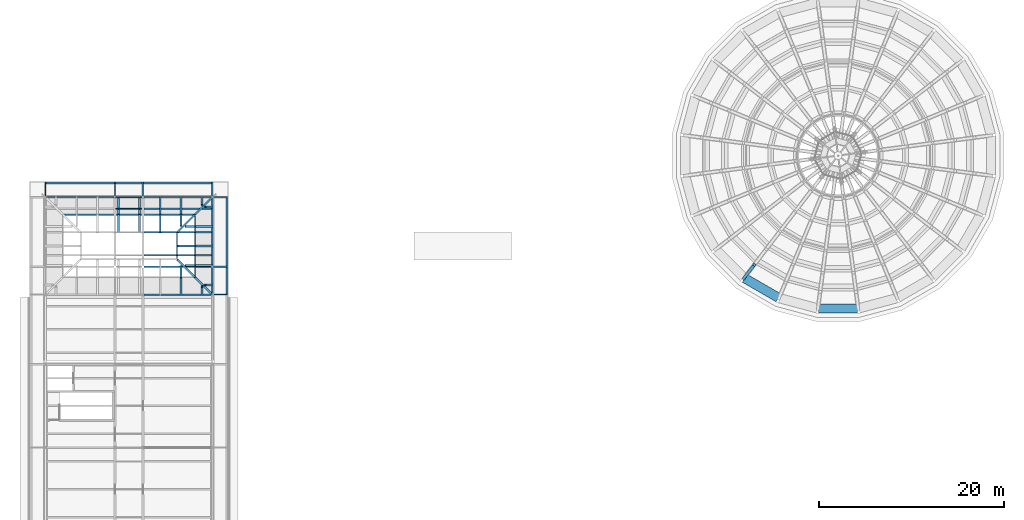
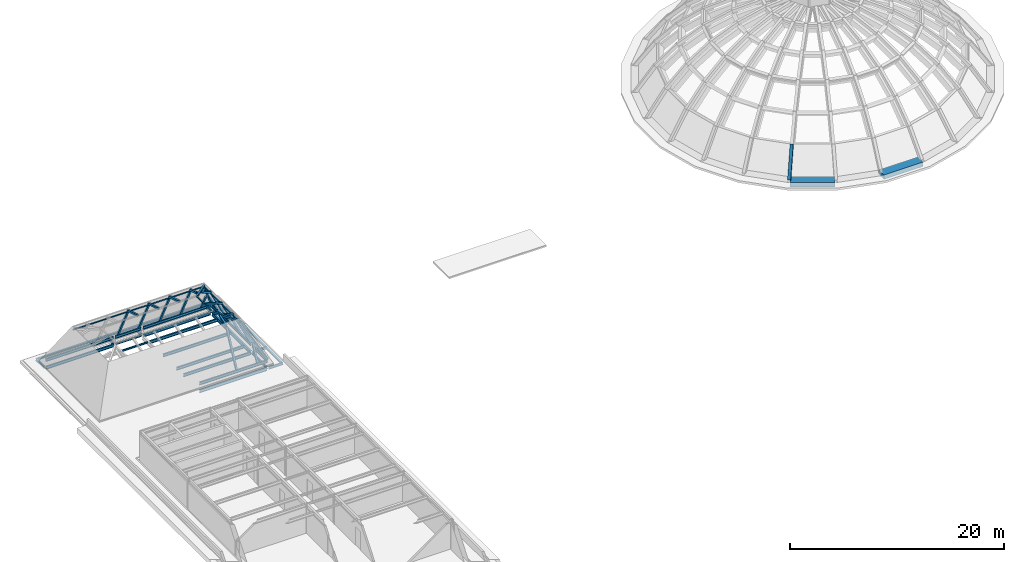
# One storey, part 9 of 29: 31 beams, 28 members.
"""IFC4 building model written with IfcOpenShell, lengths in metres."""

import ifcopenshell
import ifcopenshell.guid

model = None  # the IFC model being written
_history = None  # IfcOwnerHistory: only IFC2X3 demands one
_inside = {}  # id of a spatial element -> (the spatial element, [elements in it])
_under = {}  # id of a project, library or spatial element -> (it, [spatial elements below it])
_declared = {}  # id of a project -> (the project, [libraries it declares])
_typed = {}  # id of a type object -> (the type object, [elements of that type])
_made_of = {}  # id of a material, layer set ... -> (it, [elements and type objects made of it])


def new_model(schema):
    """Start an empty IFC model of exactly this schema.

    Asked for "IFC4X3", IfcOpenShell would pick the latest addendum, in which some entities
    have other attributes; the version numbers below select the first issue.
    IFC2X3 requires an IfcOwnerHistory on every rooted entity: one is made here for all.
    """
    global model, _history
    if schema == "IFC4X3":
        model = ifcopenshell.file(schema_version=(4, 3, 0, 0))
    else:
        model = ifcopenshell.file(schema=schema)
    _inside.clear()
    _under.clear()
    _declared.clear()
    _typed.clear()
    _made_of.clear()
    _history = None
    if model.schema == "IFC2X3":
        org = make("IfcOrganization", Name="unknown")
        user = make(
            "IfcPersonAndOrganization",
            ThePerson=make("IfcPerson", FamilyName="unknown"),
            TheOrganization=org,
        )
        app = make(
            "IfcApplication",
            ApplicationDeveloper=org,
            Version="unknown",
            ApplicationFullName="unknown",
            ApplicationIdentifier="unknown",
        )
        _history = make(
            "IfcOwnerHistory",
            OwningUser=user,
            OwningApplication=app,
            ChangeAction="ADDED",
            CreationDate=0,
        )
    return model


def make(cls, **values):
    """One entity of the class cls with the attributes given. An attribute that is None is left unset."""
    return model.create_entity(
        cls, **{name: value for name, value in values.items() if value is not None}
    )


def rooted(cls, **values):
    """An entity with a GlobalId (a new one), such as an element, a storey or a relation."""
    return make(cls, GlobalId=ifcopenshell.guid.new(), OwnerHistory=_history, **values)


def si_unit(unit_type, name, prefix=None):
    """IfcSIUnit, for example si_unit("LENGTHUNIT", "METRE", prefix="MILLI")."""
    return make("IfcSIUnit", UnitType=unit_type, Prefix=prefix, Name=name)


def assignment(units):
    """IfcUnitAssignment: the units of a project."""
    return None if units is None else make("IfcUnitAssignment", Units=units)


def point(xyz):
    """IfcCartesianPoint."""
    return None if xyz is None else make("IfcCartesianPoint", Coordinates=xyz)


def direction(xyz):
    """IfcDirection."""
    return None if xyz is None else make("IfcDirection", DirectionRatios=xyz)


def frame(location, z_axis=None, x_axis=None):
    """IfcAxis2Placement3D, a coordinate frame: its origin and axes. An axis left out is left unset."""
    return make(
        "IfcAxis2Placement3D",
        Location=point(location),
        Axis=direction(z_axis),
        RefDirection=direction(x_axis),
    )


def frame_2d(location, x_axis=None):
    """IfcAxis2Placement2D, a coordinate frame in the plane: its origin and x axis."""
    return make(
        "IfcAxis2Placement2D", Location=point(location), RefDirection=direction(x_axis)
    )


def origin():
    """The frame at (0, 0, 0) with its axes left unset."""
    return frame((0.0, 0.0, 0.0))


def origin_2d():
    """The frame at (0, 0) in the plane with its x axis left unset."""
    return frame_2d((0.0, 0.0))


def place(relative_to, where):
    """IfcLocalPlacement: puts the frame where relative to a parent placement (None: the world)."""
    return make(
        "IfcLocalPlacement", PlacementRelTo=relative_to, RelativePlacement=where
    )


def context(
    kind, dimensions, precision=None, world=None, true_north=None, identifier=None
):
    """IfcGeometricRepresentationContext, for example the 3D "Model" context."""
    return make(
        "IfcGeometricRepresentationContext",
        ContextIdentifier=identifier,
        ContextType=kind,
        CoordinateSpaceDimension=dimensions,
        Precision=precision,
        WorldCoordinateSystem=world,
        TrueNorth=true_north,
    )


def subcontext(parent, identifier, kind, view, scale=None):
    """IfcGeometricRepresentationSubContext, for example "Body" below "Model"."""
    return make(
        "IfcGeometricRepresentationSubContext",
        ContextIdentifier=identifier,
        ContextType=kind,
        ParentContext=parent,
        TargetScale=scale,
        TargetView=view,
    )


def project(units=None, contexts=None):
    """IfcProject with its units and contexts."""
    return rooted(
        "IfcProject",
        Name="project",
        RepresentationContexts=contexts,
        UnitsInContext=assignment(units),
    )


def spatial(cls, under=None, at=None, **own):
    """A site, building, storey or space (cls), placed at a placement, below another one or the project."""
    s = rooted(cls, ObjectPlacement=at, **own)
    if under is not None:
        _under.setdefault(under.id(), (under, []))[1].append(s)
    return s


def profile(cls, at=None, kind="AREA", **sizes):
    """A parametric profile (cls). Its sizes go by their IFC names, for example OverallWidth=200.0."""
    return make(cls, ProfileType=kind, Position=at, **sizes)


def rectangle(**sizes):
    """IfcRectangleProfileDef."""
    return profile("IfcRectangleProfileDef", **sizes)


def hollow_rectangle(**sizes):
    """IfcRectangleHollowProfileDef."""
    return profile("IfcRectangleHollowProfileDef", **sizes)


def i_section(**sizes):
    """IfcIShapeProfileDef."""
    return profile("IfcIShapeProfileDef", **sizes)


def extrude(swept, where, along, depth):
    """IfcExtrudedAreaSolid: the profile swept, set in the frame where, extruded along a direction by depth."""
    return make(
        "IfcExtrudedAreaSolid",
        SweptArea=swept,
        Position=where,
        ExtrudedDirection=direction(along),
        Depth=depth,
    )


def shape(context_of_items, identifier, shape_type, items):
    """IfcShapeRepresentation: the items that make up one representation, for example the "Body"."""
    return make(
        "IfcShapeRepresentation",
        ContextOfItems=context_of_items,
        RepresentationIdentifier=identifier,
        RepresentationType=shape_type,
        Items=items,
    )


def material(Name=None, Category=None):
    """IfcMaterial."""
    return make("IfcMaterial", Name=Name, Category=Category)


def material_profile(
    of_material, cross_section, Name=None, Category=None, Priority=None
):
    """IfcMaterialProfile: a cross section and its material."""
    return make(
        "IfcMaterialProfile",
        Name=Name,
        Material=of_material,
        Profile=cross_section,
        Priority=Priority,
        Category=Category,
    )


def profile_set(profiles, Name=None, composite=None):
    """IfcMaterialProfileSet."""
    return make(
        "IfcMaterialProfileSet",
        Name=Name,
        MaterialProfiles=profiles,
        CompositeProfile=composite,
    )


def made_of(thing, what):
    """Note that an element or type object is made of a material, layer set ...; save() writes the relation."""
    if what is not None:
        _made_of.setdefault(what.id(), (what, []))[1].append(thing)
    return thing


def type_object(cls, material=None, **own):
    """A type object (cls), such as IfcWallType, which elements share."""
    return made_of(rooted(cls, **own), material)


def element(
    cls,
    number,
    at=None,
    inside=None,
    cuts=None,
    type_object=None,
    material=None,
    context=None,
    identifier="Body",
    shape_type=None,
    held_by="IfcProductDefinitionShape",
    body=None,
    shapes=None,
    **own,
):
    """One element of the class cls, such as IfcWall. Its Tag is "e" and its number.

    at: its placement. inside: the storey or other place that contains it. cuts: it is an
    opening in that element (IfcRelVoidsElement). A single representation is given by context,
    identifier, shape_type and body (its items); several are given by shapes. held_by: the class
    of the entity that holds the representations. save() writes the other relations.
    """
    e = rooted(cls, Tag="e%d" % number, ObjectPlacement=at, **own)
    if body is not None:
        shapes = [shape(context, identifier, shape_type, body)]
    if shapes is not None:
        e.Representation = make(held_by, Representations=shapes)
    if inside is not None:
        _inside.setdefault(inside.id(), (inside, []))[1].append(e)
    if cuts is not None:
        rooted(
            "IfcRelVoidsElement", RelatingBuildingElement=cuts, RelatedOpeningElement=e
        )
    if type_object is not None:
        _typed.setdefault(type_object.id(), (type_object, []))[1].append(e)
    return made_of(e, material)


def aggregate(whole, parts):
    """IfcRelAggregates: a whole, such as a stair, and the parts it consists of."""
    return rooted("IfcRelAggregates", RelatingObject=whole, RelatedObjects=parts)


def save(model, path):
    """Write the relations noted so far, then the file.

    IfcRelAggregates (storeys below a building ...), IfcRelContainedInSpatialStructure (elements
    in a storey), IfcRelDefinesByType, IfcRelAssociatesMaterial and IfcRelDeclares: one each for
    every whole, place, type object, material and project.
    """
    for whole, parts in _under.values():
        aggregate(whole, parts)
    for where, things in _inside.values():
        rooted(
            "IfcRelContainedInSpatialStructure",
            RelatedElements=things,
            RelatingStructure=where,
        )
    for kind, things in _typed.values():
        rooted("IfcRelDefinesByType", RelatedObjects=things, RelatingType=kind)
    for what, things in _made_of.values():
        rooted("IfcRelAssociatesMaterial", RelatedObjects=things, RelatingMaterial=what)
    for by, libraries in _declared.values():
        rooted("IfcRelDeclares", RelatingContext=by, RelatedDefinitions=libraries)
    model.write(path)


model = new_model("IFC4")

# Units and contexts
model_context = context("Model", 3, precision=1e-05, world=origin(), true_north=direction((0.0, 1.0)))
body_context = subcontext(model_context, "Body", "Model", "MODEL_VIEW")
ifc_project = project(units=[si_unit("LENGTHUNIT", "METRE"), si_unit("AREAUNIT", "SQUARE_METRE"), si_unit("VOLUMEUNIT", "CUBIC_METRE"), si_unit("PLANEANGLEUNIT", "RADIAN"), si_unit("MASSUNIT", "GRAM", prefix="KILO")], contexts=[model_context])

# Site, building, storey
site_placement = place(None, origin())
site = spatial("IfcSite", under=ifc_project, at=site_placement, CompositionType="ELEMENT")
building_placement = place(site_placement, origin())
building = spatial("IfcBuilding", under=site, at=building_placement, Name="Golden Quay Civic Hall", CompositionType="ELEMENT")
storey_placement = place(building_placement, frame((0.0, 0.0, 27.0)))
storey = spatial("IfcBuildingStorey", under=building, at=storey_placement, Name="L06", CompositionType="ELEMENT", Elevation=27.0)

# Beams
ifc_material_1 = material(Name="Steel S355", Category="steel")
ifc_material_profile_1 = material_profile(ifc_material_1, i_section(OverallWidth=0.199951171875, OverallDepth=0.18994140625, WebThickness=0.006591796875, FlangeThickness=0.010009765625, FilletRadius=0.01806640625, at=origin_2d()), Name="HEA 200")
ifc_profile_set_1 = profile_set([ifc_material_profile_1], Name="Steel S355")
beam_type_1 = type_object("IfcBeamType", Name="Eave edge beam HEA 200", PredefinedType="BEAM", material=ifc_profile_set_1)
beam_1_placement = place(storey_placement, frame((0.0673828125, 82.550048828125, -0.344970703125), z_axis=(1.0, 0.0, 0.0), x_axis=(0.0, 1.0, 0.0)))
element("IfcBeam", 1, at=beam_1_placement, inside=storey, type_object=beam_type_1, Name="Eave edge beam HEA 200 L06 12", PredefinedType="BEAM", context=body_context, shape_type="SweptSolid", body=[
    extrude(i_section(OverallWidth=0.199951171875, OverallDepth=0.18994140625, WebThickness=0.006591796875, FlangeThickness=0.010009765625, FilletRadius=0.01806640625, at=origin_2d()), origin(), (0.0, 0.0, 1.0), 7.365234375),
])
beam_2_placement = place(storey_placement, frame((7.5673828125, 82.550048828125, -0.344970703125), z_axis=(1.0, 0.0, 0.0), x_axis=(0.0, 1.0, 0.0)))
element("IfcBeam", 2, at=beam_2_placement, inside=storey, type_object=beam_type_1, Name="Eave edge beam HEA 200 L06 13", PredefinedType="BEAM", context=body_context, shape_type="SweptSolid", body=[
    extrude(i_section(OverallWidth=0.199951171875, OverallDepth=0.18994140625, WebThickness=0.006591796875, FlangeThickness=0.010009765625, FilletRadius=0.01806640625, at=origin_2d()), origin(), (0.0, 0.0, 1.0), 2.865234375),
])
beam_3_placement = place(storey_placement, frame((10.5673828125, 82.550048828125, -0.344970703125), z_axis=(1.0, 0.0, 0.0), x_axis=(0.0, 1.0, 0.0)))
element("IfcBeam", 3, at=beam_3_placement, inside=storey, type_object=beam_type_1, Name="Eave edge beam HEA 200 L06 14", PredefinedType="BEAM", context=body_context, shape_type="SweptSolid", body=[
    extrude(i_section(OverallWidth=0.199951171875, OverallDepth=0.18994140625, WebThickness=0.006591796875, FlangeThickness=0.010009765625, FilletRadius=0.01806640625, at=origin_2d()), origin(), (0.0, 0.0, 1.0), 7.365234375),
])
beam_4_placement = place(storey_placement, frame((19.550048828125, 70.5673828125, -0.344970703125), z_axis=(0.0, 1.0, 0.0), x_axis=(-1.0, 0.0, 0.0)))
element("IfcBeam", 4, at=beam_4_placement, inside=storey, type_object=beam_type_1, Name="Eave edge beam HEA 200 L06 24", PredefinedType="BEAM", context=body_context, shape_type="SweptSolid", body=[
    extrude(i_section(OverallWidth=0.199951171875, OverallDepth=0.18994140625, WebThickness=0.006591796875, FlangeThickness=0.010009765625, FilletRadius=0.01806640625, at=origin_2d()), origin(), (0.0, 0.0, 1.0), 2.865234375),
])
beam_5_placement = place(storey_placement, frame((19.550048828125, 73.5673828125, -0.344970703125), z_axis=(0.0, 1.0, 0.0), x_axis=(-1.0, 0.0, 0.0)))
element("IfcBeam", 5, at=beam_5_placement, inside=storey, type_object=beam_type_1, Name="Eave edge beam HEA 200 L06 25", PredefinedType="BEAM", context=body_context, shape_type="SweptSolid", body=[
    extrude(i_section(OverallWidth=0.199951171875, OverallDepth=0.18994140625, WebThickness=0.006591796875, FlangeThickness=0.010009765625, FilletRadius=0.01806640625, at=origin_2d()), origin(), (0.0, 0.0, 1.0), 7.365234375),
])
ifc_material_2 = material(Name="Steel S355", Category="steel")
ifc_material_profile_2 = material_profile(ifc_material_2, i_section(OverallWidth=0.135009765625, OverallDepth=0.27001953125, WebThickness=0.006591796875, FlangeThickness=0.01025390625, FilletRadius=0.014892578125, at=origin_2d()), Name="IPE 270")
ifc_profile_set_2 = profile_set([ifc_material_profile_2], Name="Steel S355")
beam_type_2 = type_object("IfcBeamType", Name="Eave stub IPE 270", PredefinedType="BEAM", material=ifc_profile_set_2)
for number, where, z_axis, x_axis, name in (
    (6, (0.0, 81.094970703125, -0.385009765625), (0.0, 1.0, 0.0), (-1.0, 0.0, 0.0), "Eave stub IPE 270 L06 13"),
    (7, (7.5, 81.094970703125, -0.385009765625), (0.0, 1.0, 0.0), (-1.0, 0.0, 0.0), "Eave stub IPE 270 L06 14"),
    (8, (10.5, 81.094970703125, -0.385009765625), (0.0, 1.0, 0.0), (-1.0, 0.0, 0.0), "Eave stub IPE 270 L06 15"),
    (9, (18.0, 81.094970703125, -0.385009765625), (0.0, 1.0, 0.0), (-1.0, 0.0, 0.0), "Eave stub IPE 270 L06 16"),
):
    element("IfcBeam", number, at=place(storey_placement, frame(where, z_axis=z_axis, x_axis=x_axis)), inside=storey, type_object=beam_type_2, Name=name, PredefinedType="BEAM", context=body_context, shape_type="SweptSolid", body=[
        extrude(i_section(OverallWidth=0.135009765625, OverallDepth=0.27001953125, WebThickness=0.006591796875, FlangeThickness=0.01025390625, FilletRadius=0.014892578125, at=origin_2d()), origin(), (0.0, 0.0, 1.0), 1.554931640625),
    ])
for number, where, z_axis, x_axis, name in (
    (10, (18.10009765625, 70.5, -0.385009765625), (1.0, 0.0, 0.0), (0.0, 1.0, 0.0), "Eave stub IPE 270 L06 26"),
    (11, (18.10009765625, 73.5, -0.385009765625), (1.0, 0.0, 0.0), (0.0, 1.0, 0.0), "Eave stub IPE 270 L06 27"),
    (12, (18.10009765625, 81.0, -0.385009765625), (1.0, 0.0, 0.0), (0.0, 1.0, 0.0), "Eave stub IPE 270 L06 28"),
):
    element("IfcBeam", number, at=place(storey_placement, frame(where, z_axis=z_axis, x_axis=x_axis)), inside=storey, type_object=beam_type_2, Name=name, PredefinedType="BEAM", context=body_context, shape_type="SweptSolid", body=[
        extrude(i_section(OverallWidth=0.135009765625, OverallDepth=0.27001953125, WebThickness=0.006591796875, FlangeThickness=0.01025390625, FilletRadius=0.014892578125, at=origin_2d()), origin(), (0.0, 0.0, 1.0), 1.5498046875),
    ])

# Member
ifc_material_3 = material(Name="Concrete C40/50", Category="concrete")
ifc_material_profile_3 = material_profile(ifc_material_3, rectangle(XDim=0.300048828125, YDim=0.35009765625, at=origin_2d()), Name="RC 300x350")
ifc_profile_set_3 = profile_set([ifc_material_profile_3], Name="Concrete C40/50")
member_type_1 = type_object("IfcMemberType", Name="Reinforced concrete dome outer rib 300x350", PredefinedType="STRUT", material=ifc_profile_set_3)
member_1_placement = place(storey_placement, frame((75.321533203125, 72.2353515625, -0.01904296875), z_axis=(0.337798707205, 0.440142253946, 0.83196564214), x_axis=(-0.79329616646, 0.608835932152, 0.0)))
element("IfcMember", 13, at=member_1_placement, inside=storey, type_object=member_type_1, Name="Dome outer rib 16.1", PredefinedType="STRUT", context=body_context, shape_type="SweptSolid", body=[
    extrude(rectangle(XDim=0.300048828125, YDim=0.35009765625, at=origin_2d()), origin(), (0.0, 0.0, 1.0), 3.38037109375),
])

# Beams
ifc_material_4 = material(Name="Concrete C40/50", Category="concrete")
ifc_material_profile_4 = material_profile(ifc_material_4, rectangle(XDim=1.0, YDim=0.5, at=origin_2d()), Name="RC 1000x500")
ifc_profile_set_4 = profile_set([ifc_material_profile_4], Name="Concrete C40/50")
beam_type_3 = type_object("IfcBeamType", Name="Reinforced concrete springing ring beam 1000x500", PredefinedType="BEAM", material=ifc_profile_set_4)
for number, where, z_axis, x_axis, name in (
    (14, (75.42578125, 72.263916015625, -0.25), (0.866023457084, -0.500003371769, 0.0), (0.500003371769, 0.866023457084, 0.0), "Dome springing ring segment 16"),
    (15, (83.3935546875, 69.0, -0.25), (1.0, 0.0, 0.0), (0.0, 1.0, 0.0), "Dome springing ring segment 18"),
):
    element("IfcBeam", number, at=place(storey_placement, frame(where, z_axis=z_axis, x_axis=x_axis)), inside=storey, type_object=beam_type_3, Name=name, PredefinedType="BEAM", context=body_context, shape_type="SweptSolid", body=[
        extrude(rectangle(XDim=1.0, YDim=0.5, at=origin_2d()), origin(), (0.0, 0.0, 1.0), 4.212890625),
    ])
ifc_material_5 = material(Name="Steel S355", Category="steel")
ifc_material_profile_5 = material_profile(ifc_material_5, i_section(OverallWidth=0.10009765625, OverallDepth=0.199951171875, WebThickness=0.005615234375, FlangeThickness=0.008544921875, FilletRadius=0.011962890625, at=origin_2d()), Name="IPE 200")
ifc_profile_set_5 = profile_set([ifc_material_profile_5], Name="Steel S355")
beam_type_4 = type_object("IfcBeamType", Name="Steel beam IPE 200", PredefinedType="BEAM", material=ifc_profile_set_5)
beam_6_placement = place(storey_placement, frame((7.60009765625, 81.0, -0.35009765625), z_axis=(1.0, 0.0, 0.0), x_axis=(0.0, 1.0, 0.0)))
element("IfcBeam", 16, at=beam_6_placement, inside=storey, type_object=beam_type_4, Name="Beam S81-7.5", PredefinedType="BEAM", context=body_context, shape_type="SweptSolid", body=[
    extrude(i_section(OverallWidth=0.10009765625, OverallDepth=0.199951171875, WebThickness=0.005615234375, FlangeThickness=0.008544921875, FilletRadius=0.011962890625, at=origin_2d()), origin(), (0.0, 0.0, 1.0), 2.7998046875),
])
ifc_material_6 = material(Name="Steel S355", Category="steel")
ifc_material_profile_6 = material_profile(ifc_material_6, i_section(OverallWidth=0.135009765625, OverallDepth=0.27001953125, WebThickness=0.006591796875, FlangeThickness=0.01025390625, FilletRadius=0.014892578125, at=origin_2d()), Name="IPE 270")
ifc_profile_set_6 = profile_set([ifc_material_profile_6], Name="Steel S355")
beam_type_5 = type_object("IfcBeamType", Name="Steel beam IPE 270", PredefinedType="BEAM", material=ifc_profile_set_6)
beam_7_placement = place(storey_placement, frame((18.0, 70.594970703125, -0.385009765625), z_axis=(0.0, 1.0, 0.0), x_axis=(-1.0, 0.0, 0.0)))
element("IfcBeam", 17, at=beam_7_placement, inside=storey, type_object=beam_type_5, Name="Beam L18-70.5", PredefinedType="BEAM", context=body_context, shape_type="SweptSolid", body=[
    extrude(i_section(OverallWidth=0.135009765625, OverallDepth=0.27001953125, WebThickness=0.006591796875, FlangeThickness=0.01025390625, FilletRadius=0.014892578125, at=origin_2d()), origin(), (0.0, 0.0, 1.0), 2.81005859375),
])
ifc_material_7 = material(Name="Steel S355", Category="steel")
ifc_material_profile_7 = material_profile(ifc_material_7, i_section(OverallWidth=0.159912109375, OverallDepth=0.330078125, WebThickness=0.007568359375, FlangeThickness=0.011474609375, FilletRadius=0.01806640625, at=origin_2d()), Name="IPE 330")
ifc_profile_set_7 = profile_set([ifc_material_profile_7], Name="Steel S355")
beam_type_6 = type_object("IfcBeamType", Name="Steel beam IPE 330", PredefinedType="BEAM", material=ifc_profile_set_7)
for number, where, z_axis, x_axis, name in (
    (18, (10.6201171875, 70.5, -0.4150390625), (1.0, 0.0, 0.0), (0.0, 1.0, 0.0), "Beam S70.5-10.5"),
    (19, (10.6201171875, 73.5, -0.4150390625), (1.0, 0.0, 0.0), (0.0, 1.0, 0.0), "Beam S73.5-10.5"),
):
    element("IfcBeam", number, at=place(storey_placement, frame(where, z_axis=z_axis, x_axis=x_axis)), inside=storey, type_object=beam_type_6, Name=name, PredefinedType="BEAM", context=body_context, shape_type="SweptSolid", body=[
        extrude(i_section(OverallWidth=0.159912109375, OverallDepth=0.330078125, WebThickness=0.007568359375, FlangeThickness=0.011474609375, FilletRadius=0.01806640625, at=origin_2d()), origin(), (0.0, 0.0, 1.0), 7.27978515625),
    ])
for number, where, z_axis, x_axis, name in (
    (20, (0.10009765625, 81.0, -0.4150390625), (1.0, 0.0, 0.0), (0.0, 1.0, 0.0), "Beam S81-0"),
    (21, (10.60009765625, 81.0, -0.4150390625), (1.0, 0.0, 0.0), (0.0, 1.0, 0.0), "Beam S81-10.5"),
):
    element("IfcBeam", number, at=place(storey_placement, frame(where, z_axis=z_axis, x_axis=x_axis)), inside=storey, type_object=beam_type_6, Name=name, PredefinedType="BEAM", context=body_context, shape_type="SweptSolid", body=[
        extrude(i_section(OverallWidth=0.159912109375, OverallDepth=0.330078125, WebThickness=0.007568359375, FlangeThickness=0.011474609375, FilletRadius=0.01806640625, at=origin_2d()), origin(), (0.0, 0.0, 1.0), 7.2998046875),
    ])
ifc_material_8 = material(Name="Steel S355", Category="steel")
ifc_material_profile_8 = material_profile(ifc_material_8, i_section(OverallWidth=0.179931640625, OverallDepth=0.39990234375, WebThickness=0.008544921875, FlangeThickness=0.013427734375, FilletRadius=0.02099609375, at=origin_2d()), Name="IPE 400")
ifc_profile_set_8 = profile_set([ifc_material_profile_8], Name="Steel S355")
beam_type_7 = type_object("IfcBeamType", Name="Steel beam IPE 400", PredefinedType="BEAM", material=ifc_profile_set_8)
beam_8_placement = place(storey_placement, frame((18.0, 73.594970703125, -0.449951171875), z_axis=(0.0, 1.0, 0.0), x_axis=(-1.0, 0.0, 0.0)))
element("IfcBeam", 22, at=beam_8_placement, inside=storey, type_object=beam_type_7, Name="Beam L18-73.5", PredefinedType="BEAM", context=body_context, shape_type="SweptSolid", body=[
    extrude(i_section(OverallWidth=0.179931640625, OverallDepth=0.39990234375, WebThickness=0.008544921875, FlangeThickness=0.013427734375, FilletRadius=0.02099609375, at=origin_2d()), origin(), (0.0, 0.0, 1.0), 7.31005859375),
])

# Members
ifc_material_9 = material(Name="Steel S355", Category="steel")
ifc_material_profile_9 = material_profile(ifc_material_9, hollow_rectangle(XDim=0.199951171875, YDim=0.199951171875, WallThickness=0.010009765625, at=origin_2d()), Name="SHS 200x200x10")
ifc_profile_set_9 = profile_set([ifc_material_profile_9], Name="Steel S355")
member_type_2 = type_object("IfcMemberType", Name="Steel jack rafter SHS 200x200x10", PredefinedType="RAFTER", material=ifc_profile_set_9)
member_2_placement = place(storey_placement, frame((14.625, 70.5, 0.6748046875), z_axis=(0.0, 0.447236789271, 0.894415593738), x_axis=(-1.0, 0.0, 0.0)))
element("IfcMember", 23, at=member_2_placement, inside=storey, type_object=member_type_2, Name="Jack rafter WO-N south 7", PredefinedType="RAFTER", context=body_context, shape_type="SweptSolid", body=[
    extrude(hollow_rectangle(XDim=0.199951171875, YDim=0.199951171875, WallThickness=0.010009765625, at=origin_2d()), origin(), (0.0, 0.0, 1.0), 4.21044921875),
])
member_3_placement = place(storey_placement, frame((14.625, 72.383056640625, 4.559814453125), z_axis=(0.0, 0.957779634475, 0.287503342214), x_axis=(-1.0, 0.0, 0.0)))
element("IfcMember", 24, at=member_3_placement, inside=storey, type_object=member_type_2, Name="Jack rafter WO-N south 7 upper", PredefinedType="RAFTER", context=body_context, shape_type="SweptSolid", body=[
    extrude(hollow_rectangle(XDim=0.199951171875, YDim=0.199951171875, WallThickness=0.010009765625, at=origin_2d()), origin(), (0.0, 0.0, 1.0), 1.296630859375),
])
member_4_placement = place(storey_placement, frame((16.875, 70.5, 0.6748046875), z_axis=(0.0, 0.4472135955, 0.894427191), x_axis=(-1.0, 0.0, 0.0)))
element("IfcMember", 25, at=member_4_placement, inside=storey, type_object=member_type_2, Name="Jack rafter WO-N south 8", PredefinedType="RAFTER", context=body_context, shape_type="SweptSolid", body=[
    extrude(hollow_rectangle(XDim=0.199951171875, YDim=0.199951171875, WallThickness=0.010009765625, at=origin_2d()), origin(), (0.0, 0.0, 1.0), 1.95654296875),
])
member_5_placement = place(storey_placement, frame((7.875, 81.0, 0.6748046875), z_axis=(0.0, -0.447236789271, 0.894415593738), x_axis=(1.0, 0.0, 0.0)))
element("IfcMember", 26, at=member_5_placement, inside=storey, type_object=member_type_2, Name="Jack rafter WO-N north 4", PredefinedType="RAFTER", context=body_context, shape_type="SweptSolid", body=[
    extrude(hollow_rectangle(XDim=0.199951171875, YDim=0.199951171875, WallThickness=0.010009765625, at=origin_2d()), origin(), (0.0, 0.0, 1.0), 4.21044921875),
])
member_6_placement = place(storey_placement, frame((7.875, 79.116943359375, 4.559814453125), z_axis=(0.0, -0.957795254133, 0.287451302241), x_axis=(1.0, 0.0, 0.0)))
element("IfcMember", 27, at=member_6_placement, inside=storey, type_object=member_type_2, Name="Jack rafter WO-N north 4 upper", PredefinedType="RAFTER", context=body_context, shape_type="SweptSolid", body=[
    extrude(hollow_rectangle(XDim=0.199951171875, YDim=0.199951171875, WallThickness=0.010009765625, at=origin_2d()), origin(), (0.0, 0.0, 1.0), 1.94921875),
])
member_7_placement = place(storey_placement, frame((10.125, 81.0, 0.6748046875), z_axis=(0.0, -0.447236789271, 0.894415593738), x_axis=(1.0, 0.0, 0.0)))
element("IfcMember", 28, at=member_7_placement, inside=storey, type_object=member_type_2, Name="Jack rafter WO-N north 5", PredefinedType="RAFTER", context=body_context, shape_type="SweptSolid", body=[
    extrude(hollow_rectangle(XDim=0.199951171875, YDim=0.199951171875, WallThickness=0.010009765625, at=origin_2d()), origin(), (0.0, 0.0, 1.0), 4.21044921875),
])
member_8_placement = place(storey_placement, frame((10.125, 79.116943359375, 4.559814453125), z_axis=(0.0, -0.957795254133, 0.287451302241), x_axis=(1.0, 0.0, 0.0)))
element("IfcMember", 29, at=member_8_placement, inside=storey, type_object=member_type_2, Name="Jack rafter WO-N north 5 upper", PredefinedType="RAFTER", context=body_context, shape_type="SweptSolid", body=[
    extrude(hollow_rectangle(XDim=0.199951171875, YDim=0.199951171875, WallThickness=0.010009765625, at=origin_2d()), origin(), (0.0, 0.0, 1.0), 1.94921875),
])
member_9_placement = place(storey_placement, frame((12.375, 81.0, 0.6748046875), z_axis=(0.0, -0.447236789271, 0.894415593738), x_axis=(1.0, 0.0, 0.0)))
element("IfcMember", 30, at=member_9_placement, inside=storey, type_object=member_type_2, Name="Jack rafter WO-N north 6", PredefinedType="RAFTER", context=body_context, shape_type="SweptSolid", body=[
    extrude(hollow_rectangle(XDim=0.199951171875, YDim=0.199951171875, WallThickness=0.010009765625, at=origin_2d()), origin(), (0.0, 0.0, 1.0), 4.21044921875),
])
member_10_placement = place(storey_placement, frame((12.375, 79.116943359375, 4.559814453125), z_axis=(0.0, -0.957795254133, 0.287451302241), x_axis=(1.0, 0.0, 0.0)))
element("IfcMember", 31, at=member_10_placement, inside=storey, type_object=member_type_2, Name="Jack rafter WO-N north 6 upper", PredefinedType="RAFTER", context=body_context, shape_type="SweptSolid", body=[
    extrude(hollow_rectangle(XDim=0.199951171875, YDim=0.199951171875, WallThickness=0.010009765625, at=origin_2d()), origin(), (0.0, 0.0, 1.0), 1.94921875),
])
member_11_placement = place(storey_placement, frame((14.625, 81.0, 0.6748046875), z_axis=(0.0, -0.447236789271, 0.894415593738), x_axis=(1.0, 0.0, 0.0)))
element("IfcMember", 32, at=member_11_placement, inside=storey, type_object=member_type_2, Name="Jack rafter WO-N north 7", PredefinedType="RAFTER", context=body_context, shape_type="SweptSolid", body=[
    extrude(hollow_rectangle(XDim=0.199951171875, YDim=0.199951171875, WallThickness=0.010009765625, at=origin_2d()), origin(), (0.0, 0.0, 1.0), 4.21044921875),
])
member_12_placement = place(storey_placement, frame((14.625, 79.116943359375, 4.559814453125), z_axis=(0.0, -0.957779634475, 0.287503342214), x_axis=(1.0, 0.0, 0.0)))
element("IfcMember", 33, at=member_12_placement, inside=storey, type_object=member_type_2, Name="Jack rafter WO-N north 7 upper", PredefinedType="RAFTER", context=body_context, shape_type="SweptSolid", body=[
    extrude(hollow_rectangle(XDim=0.199951171875, YDim=0.199951171875, WallThickness=0.010009765625, at=origin_2d()), origin(), (0.0, 0.0, 1.0), 1.296630859375),
])
member_13_placement = place(storey_placement, frame((16.875, 81.0, 0.6748046875), z_axis=(0.0, -0.4472135955, 0.894427191), x_axis=(1.0, 0.0, 0.0)))
element("IfcMember", 34, at=member_13_placement, inside=storey, type_object=member_type_2, Name="Jack rafter WO-N north 8", PredefinedType="RAFTER", context=body_context, shape_type="SweptSolid", body=[
    extrude(hollow_rectangle(XDim=0.199951171875, YDim=0.199951171875, WallThickness=0.010009765625, at=origin_2d()), origin(), (0.0, 0.0, 1.0), 1.95654296875),
])
member_14_placement = place(storey_placement, frame((18.0, 71.550048828125, 0.6748046875), z_axis=(-0.447268189502, 0.0, 0.894399891916), x_axis=(0.0, -1.0, 0.0)))
element("IfcMember", 35, at=member_14_placement, inside=storey, type_object=member_type_2, Name="Jack rafter WO-N east 1", PredefinedType="RAFTER", context=body_context, shape_type="SweptSolid", body=[
    extrude(hollow_rectangle(XDim=0.199951171875, YDim=0.199951171875, WallThickness=0.010009765625, at=origin_2d()), origin(), (0.0, 0.0, 1.0), 1.788818359375),
])
member_15_placement = place(storey_placement, frame((18.0, 73.64990234375, 0.6748046875), z_axis=(-0.447236789271, 0.0, 0.894415593738), x_axis=(0.0, -1.0, 0.0)))
element("IfcMember", 36, at=member_15_placement, inside=storey, type_object=member_type_2, Name="Jack rafter WO-N east 2", PredefinedType="RAFTER", context=body_context, shape_type="SweptSolid", body=[
    extrude(hollow_rectangle(XDim=0.199951171875, YDim=0.199951171875, WallThickness=0.010009765625, at=origin_2d()), origin(), (0.0, 0.0, 1.0), 4.21044921875),
])
member_16_placement = place(storey_placement, frame((16.116943359375, 73.64990234375, 4.559814453125), z_axis=(-0.95779463317, 0.0, 0.287453371299), x_axis=(0.0, -1.0, 0.0)))
element("IfcMember", 37, at=member_16_placement, inside=storey, type_object=member_type_2, Name="Jack rafter WO-N east 2 upper", PredefinedType="RAFTER", context=body_context, shape_type="SweptSolid", body=[
    extrude(hollow_rectangle(XDim=0.199951171875, YDim=0.199951171875, WallThickness=0.010009765625, at=origin_2d()), origin(), (0.0, 0.0, 1.0), 1.061767578125),
])
member_17_placement = place(storey_placement, frame((18.0, 75.75, 0.6748046875), z_axis=(-0.447236789271, 0.0, 0.894415593738), x_axis=(0.0, -1.0, 0.0)))
element("IfcMember", 38, at=member_17_placement, inside=storey, type_object=member_type_2, Name="Jack rafter WO-N east 3", PredefinedType="RAFTER", context=body_context, shape_type="SweptSolid", body=[
    extrude(hollow_rectangle(XDim=0.199951171875, YDim=0.199951171875, WallThickness=0.010009765625, at=origin_2d()), origin(), (0.0, 0.0, 1.0), 4.21044921875),
])
member_18_placement = place(storey_placement, frame((16.116943359375, 75.75, 4.559814453125), z_axis=(-0.957795254133, 0.0, 0.287451302241), x_axis=(0.0, -1.0, 0.0)))
element("IfcMember", 39, at=member_18_placement, inside=storey, type_object=member_type_2, Name="Jack rafter WO-N east 3 upper", PredefinedType="RAFTER", context=body_context, shape_type="SweptSolid", body=[
    extrude(hollow_rectangle(XDim=0.199951171875, YDim=0.199951171875, WallThickness=0.010009765625, at=origin_2d()), origin(), (0.0, 0.0, 1.0), 1.94921875),
])
member_19_placement = place(storey_placement, frame((18.0, 77.85009765625, 0.6748046875), z_axis=(-0.447236789271, 0.0, 0.894415593738), x_axis=(0.0, -1.0, 0.0)))
element("IfcMember", 40, at=member_19_placement, inside=storey, type_object=member_type_2, Name="Jack rafter WO-N east 4", PredefinedType="RAFTER", context=body_context, shape_type="SweptSolid", body=[
    extrude(hollow_rectangle(XDim=0.199951171875, YDim=0.199951171875, WallThickness=0.010009765625, at=origin_2d()), origin(), (0.0, 0.0, 1.0), 4.21044921875),
])
member_20_placement = place(storey_placement, frame((16.116943359375, 77.85009765625, 4.559814453125), z_axis=(-0.95779463317, 0.0, 0.287453371299), x_axis=(0.0, -1.0, 0.0)))
element("IfcMember", 41, at=member_20_placement, inside=storey, type_object=member_type_2, Name="Jack rafter WO-N east 4 upper", PredefinedType="RAFTER", context=body_context, shape_type="SweptSolid", body=[
    extrude(hollow_rectangle(XDim=0.199951171875, YDim=0.199951171875, WallThickness=0.010009765625, at=origin_2d()), origin(), (0.0, 0.0, 1.0), 1.061767578125),
])
member_21_placement = place(storey_placement, frame((18.0, 79.949951171875, 0.6748046875), z_axis=(-0.447268189502, 0.0, 0.894399891916), x_axis=(0.0, -1.0, 0.0)))
element("IfcMember", 42, at=member_21_placement, inside=storey, type_object=member_type_2, Name="Jack rafter WO-N east 5", PredefinedType="RAFTER", context=body_context, shape_type="SweptSolid", body=[
    extrude(hollow_rectangle(XDim=0.199951171875, YDim=0.199951171875, WallThickness=0.010009765625, at=origin_2d()), origin(), (0.0, 0.0, 1.0), 1.788818359375),
])

# Beams
ifc_material_10 = material(Name="Steel S355", Category="steel")
ifc_material_profile_10 = material_profile(ifc_material_10, i_section(OverallWidth=0.10009765625, OverallDepth=0.199951171875, WebThickness=0.005615234375, FlangeThickness=0.008544921875, FilletRadius=0.011962890625, at=origin_2d()), Name="IPE 200")
ifc_profile_set_10 = profile_set([ifc_material_profile_10], Name="Steel S355")
beam_type_8 = type_object("IfcBeamType", Name="Steel joist IPE 200", PredefinedType="JOIST", material=ifc_profile_set_10)
beam_9_placement = place(storey_placement, frame((7.60009765625, 79.75, -0.35009765625), z_axis=(1.0, 0.0, 0.0), x_axis=(0.0, 1.0, 0.0)))
element("IfcBeam", 43, at=beam_9_placement, inside=storey, type_object=beam_type_8, Name="Joist J79.75-7.5", PredefinedType="JOIST", context=body_context, shape_type="SweptSolid", body=[
    extrude(i_section(OverallWidth=0.10009765625, OverallDepth=0.199951171875, WebThickness=0.005615234375, FlangeThickness=0.008544921875, FilletRadius=0.011962890625, at=origin_2d()), origin(), (0.0, 0.0, 1.0), 2.7998046875),
])
ifc_material_11 = material(Name="Steel S355", Category="steel")
ifc_material_profile_11 = material_profile(ifc_material_11, i_section(OverallWidth=0.159912109375, OverallDepth=0.330078125, WebThickness=0.007568359375, FlangeThickness=0.011474609375, FilletRadius=0.01806640625, at=origin_2d()), Name="IPE 330")
ifc_profile_set_11 = profile_set([ifc_material_profile_11], Name="Steel S355")
beam_type_9 = type_object("IfcBeamType", Name="Steel joist IPE 330", PredefinedType="JOIST", material=ifc_profile_set_11)
for number, where, z_axis, x_axis, name in (
    (44, (10.60009765625, 74.75, -0.4150390625), (1.0, 0.0, 0.0), (0.0, 1.0, 0.0), "Joist J74.75-10.5"),
    (45, (10.60009765625, 77.25, -0.4150390625), (1.0, 0.0, 0.0), (0.0, 1.0, 0.0), "Joist J77.25-10.5"),
    (46, (10.60009765625, 79.75, -0.4150390625), (1.0, 0.0, 0.0), (0.0, 1.0, 0.0), "Joist J79.75-10.5"),
):
    element("IfcBeam", number, at=place(storey_placement, frame(where, z_axis=z_axis, x_axis=x_axis)), inside=storey, type_object=beam_type_9, Name=name, PredefinedType="JOIST", context=body_context, shape_type="SweptSolid", body=[
        extrude(i_section(OverallWidth=0.159912109375, OverallDepth=0.330078125, WebThickness=0.007568359375, FlangeThickness=0.011474609375, FilletRadius=0.01806640625, at=origin_2d()), origin(), (0.0, 0.0, 1.0), 7.309814453125),
    ])

# Members
ifc_material_12 = material(Name="Steel S355", Category="steel")
ifc_material_profile_12 = material_profile(ifc_material_12, hollow_rectangle(XDim=0.199951171875, YDim=0.199951171875, WallThickness=0.010009765625, at=origin_2d()), Name="SHS 200x200x10")
ifc_profile_set_12 = profile_set([ifc_material_profile_12], Name="Steel S355")
member_type_3 = type_object("IfcMemberType", Name="Steel pavilion hip rafter SHS 200x200x10", PredefinedType="RAFTER", material=ifc_profile_set_12)
member_22_placement = place(storey_placement, frame((18.0, 70.5, 0.642578125), z_axis=(-0.412554058187, 0.412554058187, 0.812156572434), x_axis=(-0.707106781187, -0.707106781187, 0.0)))
element("IfcMember", 47, at=member_22_placement, inside=storey, type_object=member_type_3, Name="Hip rafter WO-N south-east lower", PredefinedType="RAFTER", context=body_context, shape_type="SweptSolid", body=[
    extrude(hollow_rectangle(XDim=0.199951171875, YDim=0.199951171875, WallThickness=0.010009765625, at=origin_2d()), origin(), (0.0, 0.0, 1.0), 4.63720703125),
])
member_23_placement = place(storey_placement, frame((16.0869140625, 72.4130859375, 4.51708984375), z_axis=(-0.691715762248, 0.691715762248, 0.207505683091), x_axis=(-0.707106781187, -0.707106781187, 0.0)))
element("IfcMember", 48, at=member_23_placement, inside=storey, type_object=member_type_3, Name="Hip rafter WO-N south-east upper", PredefinedType="RAFTER", context=body_context, shape_type="SweptSolid", body=[
    extrude(hollow_rectangle(XDim=0.199951171875, YDim=0.199951171875, WallThickness=0.010009765625, at=origin_2d()), origin(), (0.0, 0.0, 1.0), 2.698974609375),
])
member_24_placement = place(storey_placement, frame((18.0, 81.0, 0.642578125), z_axis=(-0.412554058187, -0.412554058187, 0.812156572434), x_axis=(0.707106781187, -0.707106781187, 0.0)))
element("IfcMember", 49, at=member_24_placement, inside=storey, type_object=member_type_3, Name="Hip rafter WO-N north-east lower", PredefinedType="RAFTER", context=body_context, shape_type="SweptSolid", body=[
    extrude(hollow_rectangle(XDim=0.199951171875, YDim=0.199951171875, WallThickness=0.010009765625, at=origin_2d()), origin(), (0.0, 0.0, 1.0), 4.63720703125),
])
member_25_placement = place(storey_placement, frame((16.0869140625, 79.0869140625, 4.51708984375), z_axis=(-0.691715762248, -0.691715762248, 0.207505683091), x_axis=(0.707106781187, -0.707106781187, 0.0)))
element("IfcMember", 50, at=member_25_placement, inside=storey, type_object=member_type_3, Name="Hip rafter WO-N north-east upper", PredefinedType="RAFTER", context=body_context, shape_type="SweptSolid", body=[
    extrude(hollow_rectangle(XDim=0.199951171875, YDim=0.199951171875, WallThickness=0.010009765625, at=origin_2d()), origin(), (0.0, 0.0, 1.0), 2.698974609375),
])
ifc_material_13 = material(Name="Steel S355", Category="steel")
ifc_material_profile_13 = material_profile(ifc_material_13, hollow_rectangle(XDim=0.1201171875, YDim=0.1201171875, WallThickness=0.008056640625, at=origin_2d()), Name="SHS 120x120x8")
ifc_profile_set_13 = profile_set([ifc_material_profile_13], Name="Steel S355")
member_type_4 = type_object("IfcMemberType", Name="Steel roof purlin SHS 120x120x8", PredefinedType="PURLIN", material=ifc_profile_set_13)
member_26_placement = place(storey_placement, frame((14.18505859375, 74.3798828125, 5.164306640625), z_axis=(0.0, 1.0, 0.0), x_axis=(-1.0, 0.0, 0.0)))
element("IfcMember", 51, at=member_26_placement, inside=storey, type_object=member_type_4, Name="Cap purlin WO-N east", PredefinedType="PURLIN", context=body_context, shape_type="SweptSolid", body=[
    extrude(hollow_rectangle(XDim=0.1201171875, YDim=0.1201171875, WallThickness=0.008056640625, at=origin_2d()), origin(), (0.0, 0.0, 1.0), 2.740234375),
])
member_27_placement = place(storey_placement, frame((1.943115234375, 79.116943359375, 4.416015625), z_axis=(1.0, 0.0, 0.0), x_axis=(0.0, 1.0, 0.0)))
element("IfcMember", 52, at=member_27_placement, inside=storey, type_object=member_type_4, Name="Break purlin WO-N north", PredefinedType="PURLIN", context=body_context, shape_type="SweptSolid", body=[
    extrude(hollow_rectangle(XDim=0.1201171875, YDim=0.1201171875, WallThickness=0.008056640625, at=origin_2d()), origin(), (0.0, 0.0, 1.0), 14.11376953125),
])
member_28_placement = place(storey_placement, frame((16.116943359375, 72.5029296875, 4.416015625), z_axis=(0.0, 1.0, 0.0), x_axis=(-1.0, 0.0, 0.0)))
element("IfcMember", 53, at=member_28_placement, inside=storey, type_object=member_type_4, Name="Break purlin WO-N east", PredefinedType="PURLIN", context=body_context, shape_type="SweptSolid", body=[
    extrude(hollow_rectangle(XDim=0.1201171875, YDim=0.1201171875, WallThickness=0.008056640625, at=origin_2d()), origin(), (0.0, 0.0, 1.0), 6.494140625),
])

# Beams
ifc_material_14 = material(Name="Steel S355", Category="steel")
ifc_material_profile_14 = material_profile(ifc_material_14, i_section(OverallWidth=0.159912109375, OverallDepth=0.330078125, WebThickness=0.007568359375, FlangeThickness=0.011474609375, FilletRadius=0.01806640625, at=origin_2d()), Name="IPE 330")
ifc_profile_set_14 = profile_set([ifc_material_profile_14], Name="Steel S355")
beam_type_10 = type_object("IfcBeamType", Name="Steel wall plate beam IPE 330", PredefinedType="BEAM", material=ifc_profile_set_14)
beam_10_placement = place(storey_placement, frame((10.6201171875, 70.5, 0.465087890625), z_axis=(1.0, 0.0, 0.0), x_axis=(0.0, 1.0, 0.0)))
element("IfcBeam", 54, at=beam_10_placement, inside=storey, type_object=beam_type_10, Name="Wall plate beam WO-N S3", PredefinedType="BEAM", context=body_context, shape_type="SweptSolid", body=[
    extrude(i_section(OverallWidth=0.159912109375, OverallDepth=0.330078125, WebThickness=0.007568359375, FlangeThickness=0.011474609375, FilletRadius=0.01806640625, at=origin_2d()), origin(), (0.0, 0.0, 1.0), 7.2998046875),
])
beam_11_placement = place(storey_placement, frame((0.080078125, 81.0, 0.465087890625), z_axis=(1.0, 0.0, 0.0), x_axis=(0.0, 1.0, 0.0)))
element("IfcBeam", 55, at=beam_11_placement, inside=storey, type_object=beam_type_10, Name="Wall plate beam WO-N N1", PredefinedType="BEAM", context=body_context, shape_type="SweptSolid", body=[
    extrude(i_section(OverallWidth=0.159912109375, OverallDepth=0.330078125, WebThickness=0.007568359375, FlangeThickness=0.011474609375, FilletRadius=0.01806640625, at=origin_2d()), origin(), (0.0, 0.0, 1.0), 7.31982421875),
])
beam_12_placement = place(storey_placement, frame((7.60009765625, 81.0, 0.465087890625), z_axis=(1.0, 0.0, 0.0), x_axis=(0.0, 1.0, 0.0)))
element("IfcBeam", 56, at=beam_12_placement, inside=storey, type_object=beam_type_10, Name="Wall plate beam WO-N N2", PredefinedType="BEAM", context=body_context, shape_type="SweptSolid", body=[
    extrude(i_section(OverallWidth=0.159912109375, OverallDepth=0.330078125, WebThickness=0.007568359375, FlangeThickness=0.011474609375, FilletRadius=0.01806640625, at=origin_2d()), origin(), (0.0, 0.0, 1.0), 2.7998046875),
])
beam_13_placement = place(storey_placement, frame((10.60009765625, 81.0, 0.465087890625), z_axis=(1.0, 0.0, 0.0), x_axis=(0.0, 1.0, 0.0)))
element("IfcBeam", 57, at=beam_13_placement, inside=storey, type_object=beam_type_10, Name="Wall plate beam WO-N N3", PredefinedType="BEAM", context=body_context, shape_type="SweptSolid", body=[
    extrude(i_section(OverallWidth=0.159912109375, OverallDepth=0.330078125, WebThickness=0.007568359375, FlangeThickness=0.011474609375, FilletRadius=0.01806640625, at=origin_2d()), origin(), (0.0, 0.0, 1.0), 7.31982421875),
])
beam_14_placement = place(storey_placement, frame((18.0, 70.5, 0.465087890625), z_axis=(0.0, 1.0, 0.0), x_axis=(-1.0, 0.0, 0.0)))
element("IfcBeam", 58, at=beam_14_placement, inside=storey, type_object=beam_type_10, Name="Wall plate beam WO-N E1", PredefinedType="BEAM", context=body_context, shape_type="SweptSolid", body=[
    extrude(i_section(OverallWidth=0.159912109375, OverallDepth=0.330078125, WebThickness=0.007568359375, FlangeThickness=0.011474609375, FilletRadius=0.01806640625, at=origin_2d()), origin(), (0.0, 0.0, 1.0), 2.905029296875),
])
beam_15_placement = place(storey_placement, frame((18.0, 73.594970703125, 0.465087890625), z_axis=(0.0, 1.0, 0.0), x_axis=(-1.0, 0.0, 0.0)))
element("IfcBeam", 59, at=beam_15_placement, inside=storey, type_object=beam_type_10, Name="Wall plate beam WO-N E2", PredefinedType="BEAM", context=body_context, shape_type="SweptSolid", body=[
    extrude(i_section(OverallWidth=0.159912109375, OverallDepth=0.330078125, WebThickness=0.007568359375, FlangeThickness=0.011474609375, FilletRadius=0.01806640625, at=origin_2d()), origin(), (0.0, 0.0, 1.0), 7.405029296875),
])

save(model, "model.ifc")
